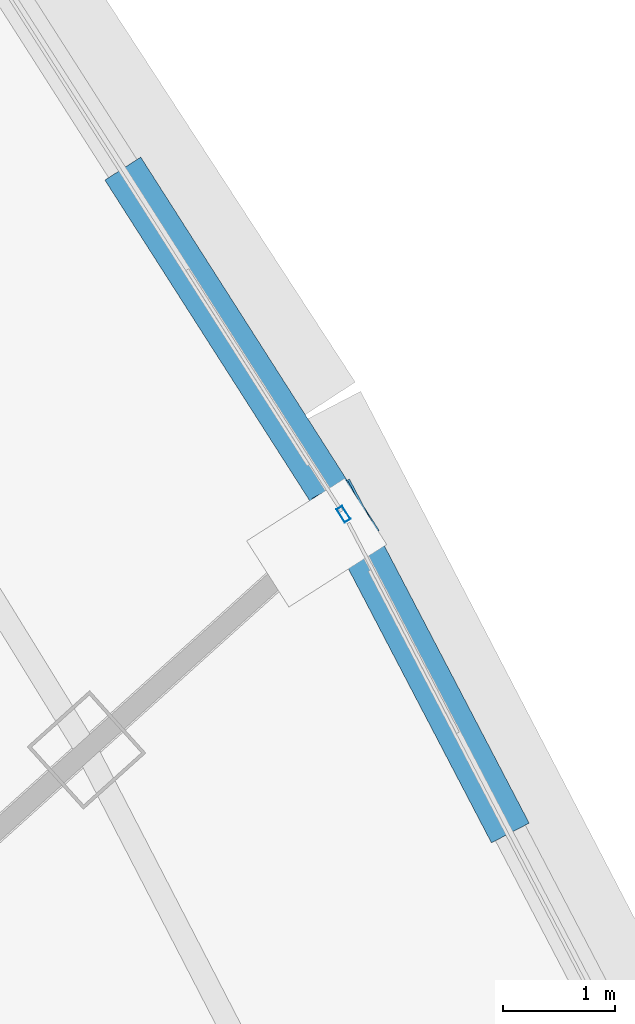
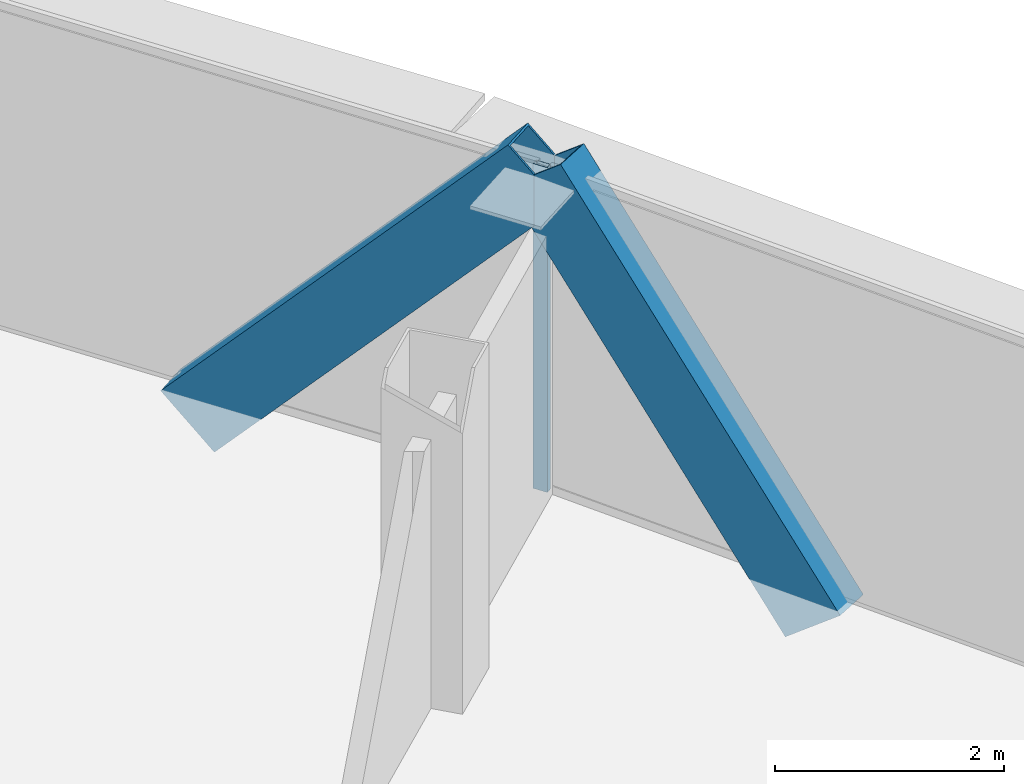
# One storey, part 25 of 39: 3 members, 1 element without a shape of its own.
"""IFC4 building model written with IfcOpenShell, lengths in metres."""

from ifc_helpers import new_model, si_unit, direction, frame, origin, origin_2d, place, context, subcontext, project, spatial, hollow_rectangle, extrude, source, transform, mapped, material, layer, layer_set, material_profile, profile_set, type_object, element, aggregate, save


model = new_model("IFC4")

# Units and contexts
model_context = context("Model", 3, precision=1e-05, world=origin(), true_north=direction((0.0, 1.0)))
body_context = subcontext(model_context, "Body", "Model", "MODEL_VIEW")
ifc_project = project(units=[si_unit("LENGTHUNIT", "METRE"), si_unit("AREAUNIT", "SQUARE_METRE"), si_unit("VOLUMEUNIT", "CUBIC_METRE"), si_unit("PLANEANGLEUNIT", "RADIAN"), si_unit("MASSUNIT", "GRAM", prefix="KILO"), si_unit("THERMODYNAMICTEMPERATUREUNIT", "KELVIN"), si_unit("POWERUNIT", "WATT")], contexts=[model_context])

# Site, building, storey
site_placement = place(None, origin())
site = spatial("IfcSite", under=ifc_project, at=site_placement, CompositionType="ELEMENT")
building_placement = place(site_placement, origin())
building = spatial("IfcBuilding", under=site, at=building_placement, Name="Yunzhuo Pagoda Commons", CompositionType="ELEMENT")
storey_placement = place(building_placement, frame((0.0, 0.0, 285.02001953125)))
storey = spatial("IfcBuildingStorey", under=building, at=storey_placement, Name="L71", CompositionType="ELEMENT", Elevation=285.02001953125)

# Members
ifc_material_1 = material(Name="Structural steel Q355B", Category="steel")
ifc_material_profile_1 = material_profile(ifc_material_1, hollow_rectangle(XDim=0.3798828125, YDim=0.719970703125, WallThickness=0.02001953125, at=origin_2d()), Name="Structural steel Q355B")
ifc_profile_set_1 = profile_set([ifc_material_profile_1], Name="Structural steel Q355B")
member_type_1 = type_object("IfcMemberType", Name="M-DL3 Brace BOX 720x380x20", PredefinedType="BRACE", material=ifc_profile_set_1)
shared_shape_1 = source(origin(), body_context, "Body", "SweptSolid", [
    extrude(hollow_rectangle(XDim=0.3798828125, YDim=0.719970703125, WallThickness=0.02001953125, at=origin_2d()), origin(), (0.0, 0.0, 1.0), 4.72314453125),
])
member_1_placement = place(storey_placement, frame((70.22412109375, 49.934326171875, -0.260009765625), z_axis=(-0.283929331162, 0.543823137294, 0.789709142817), x_axis=(-0.886454108039, -0.462816501802, 0.0)))
element("IfcMember", 1, at=member_1_placement, inside=storey, type_object=member_type_1, Name="L71 facade diamond brace F2.2R", PredefinedType="BRACE", context=body_context, shape_type="MappedRepresentation", body=[
    mapped(shared_shape_1, transform((0.0, 0.0, 0.0), scale=1.0)),
])
shared_shape_2 = source(origin(), body_context, "Body", "SweptSolid", [
    extrude(hollow_rectangle(XDim=0.3798828125, YDim=0.719970703125, WallThickness=0.02001953125, at=origin_2d()), origin(), (0.0, 0.0, 1.0), 5.0634765625),
])
member_2_placement = place(storey_placement, frame((67.039794921875, 55.388671875, -0.260009765625), z_axis=(0.364037381646, -0.569923423981, 0.736657366462), x_axis=(0.842750169095, 0.538304888043, 0.0)))
element("IfcMember", 2, at=member_2_placement, inside=storey, type_object=member_type_1, Name="L71 facade diamond brace F2.3L", PredefinedType="BRACE", context=body_context, shape_type="MappedRepresentation", body=[
    mapped(shared_shape_2, transform((0.0, 0.0, 0.0), scale=1.0)),
])

# Curtain wall, member
ifc_material_2 = material(Name="Anodized aluminium 6063-T6", Category="aluminium")
ifc_layer = layer(ifc_material_2, 0.139892578125)
ifc_layer_set = layer_set([ifc_layer], Name="Anodized aluminium 6063-T6")
curtain_wall_type = type_object("IfcCurtainWallType", Name="CW-HI High-Zone Ribbon Curtain Wall", PredefinedType="NOTDEFINED", material=ifc_layer_set)
curtain_wall_placement = place(storey_placement, origin())
curtain_wall = element("IfcCurtainWall", 3, at=curtain_wall_placement, inside=storey, type_object=curtain_wall_type, Name="L71 curtain wall CW-L71-F2B4", PredefinedType="NOTDEFINED")
ifc_material_profile_2 = material_profile(ifc_material_2, hollow_rectangle(XDim=0.06005859375, YDim=0.139892578125, WallThickness=0.00341796875, at=origin_2d()), Name="Anodized aluminium 6063-T6")
ifc_profile_set_2 = profile_set([ifc_material_profile_2], Name="Anodized aluminium 6063-T6")
member_type_2 = type_object("IfcMemberType", Name="CW-HI-M Mullion RHS 140x60x3.5", PredefinedType="MULLION", material=ifc_profile_set_2)
shared_shape_3 = source(origin(), body_context, "Body", "SweptSolid", [
    extrude(hollow_rectangle(XDim=0.06005859375, YDim=0.139892578125, WallThickness=0.00341796875, at=origin_2d()), origin(), (0.0, 0.0, 1.0), 3.4697265625),
])
member_3_placement = place(storey_placement, frame((68.866455078125, 52.528076171875, 0.000244140625), z_axis=(0.0, 0.0, 1.0), x_axis=(-0.842779157761, -0.538259501768, 0.0)))
member_3 = element("IfcMember", 4, at=member_3_placement, type_object=member_type_2, Name="CW mullion 1", PredefinedType="MULLION", context=body_context, shape_type="MappedRepresentation", body=[
    mapped(shared_shape_3, transform((0.0, 0.0, 0.0), scale=1.0)),
])
aggregate(curtain_wall, [member_3])

save(model, "model.ifc")
